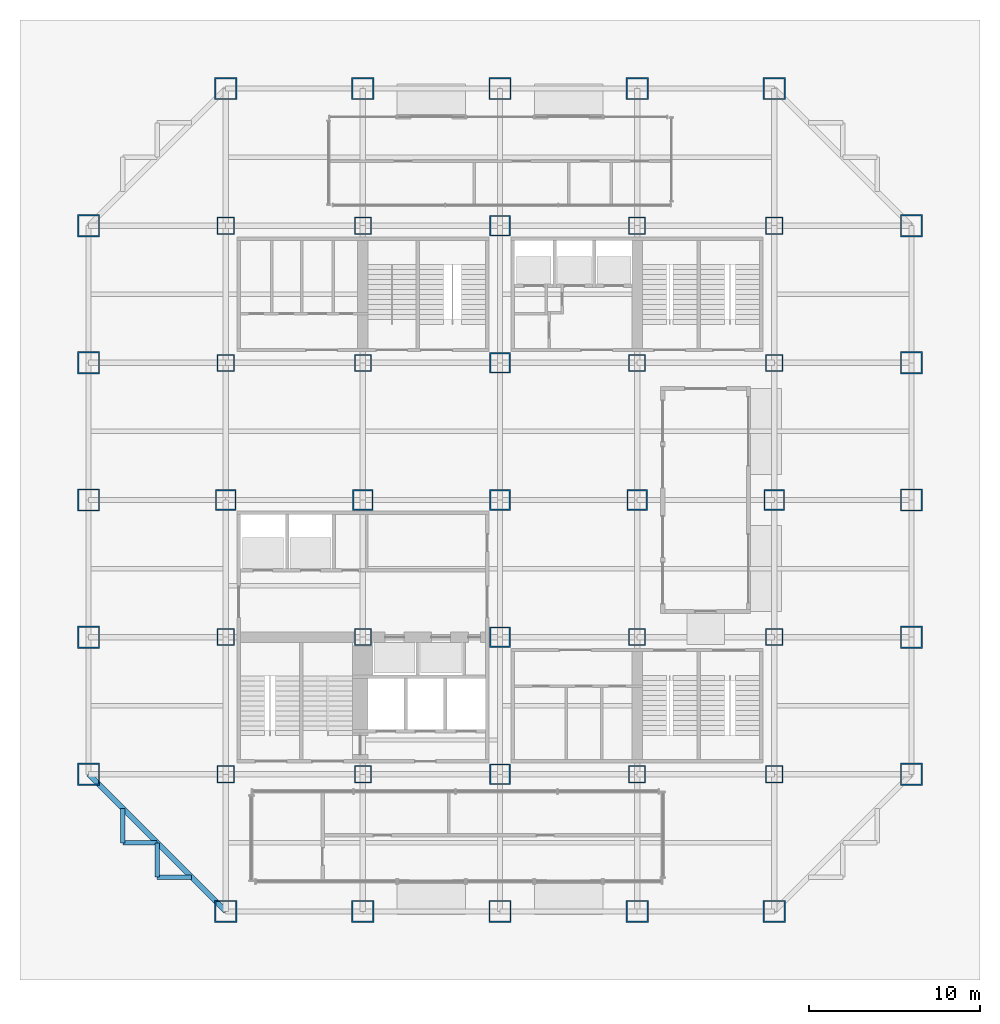
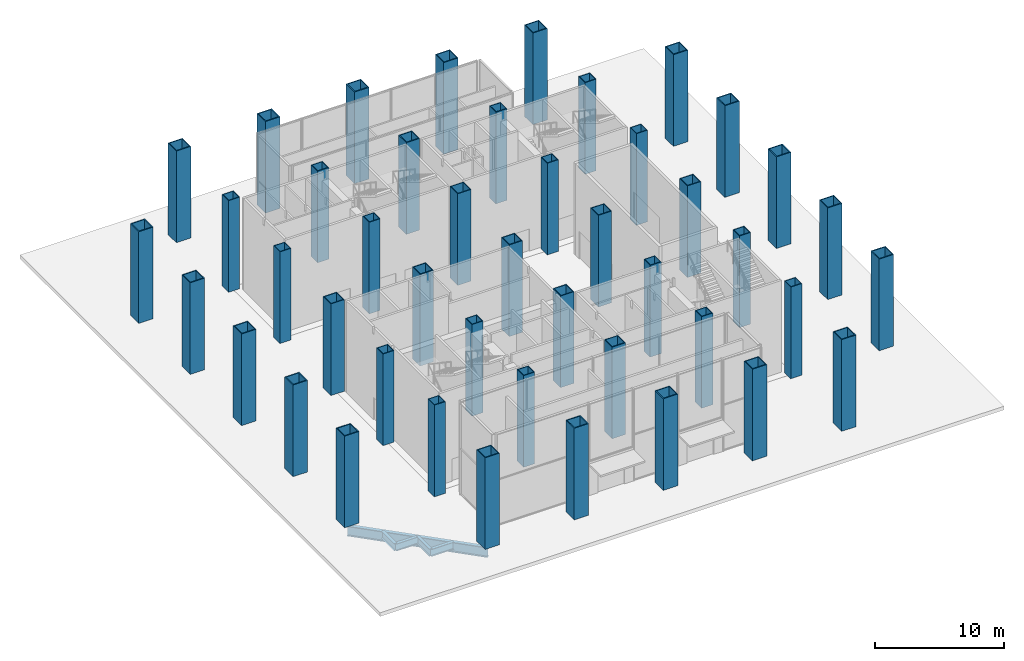
# One storey, part 1 of 14: 45 columns, 5 beams.
"""IFC4 building model written with IfcOpenShell, lengths in metres."""

from ifc_helpers import new_model, si_unit, direction, frame, origin, origin_2d, place, context, subcontext, project, spatial, hollow_rectangle, i_section, extrude, material, material_profile, profile_set, type_object, element, save


model = new_model("IFC4")

# Units and contexts
model_context = context("Model", 3, precision=1e-05, world=origin(), true_north=direction((0.0, 1.0)))
body_context = subcontext(model_context, "Body", "Model", "MODEL_VIEW")
ifc_project = project(units=[si_unit("LENGTHUNIT", "METRE"), si_unit("AREAUNIT", "SQUARE_METRE"), si_unit("VOLUMEUNIT", "CUBIC_METRE"), si_unit("PLANEANGLEUNIT", "RADIAN"), si_unit("MASSUNIT", "GRAM", prefix="KILO")], contexts=[model_context])

# Site, building, storey
site_placement = place(None, origin())
site = spatial("IfcSite", under=ifc_project, at=site_placement, CompositionType="ELEMENT")
building_placement = place(site_placement, origin())
building = spatial("IfcBuilding", under=site, at=building_placement, Name="Immortelle Media Tower", CompositionType="ELEMENT")
storey_placement = place(building_placement, origin())
storey = spatial("IfcBuildingStorey", under=building, at=storey_placement, Name="G", CompositionType="ELEMENT", Elevation=0.0)

# Columns
ifc_material_1 = material(Name="Steel ASTM A572 Gr 50", Category="steel")
ifc_material_profile_1 = material_profile(ifc_material_1, hollow_rectangle(XDim=1.0, YDim=1.0, WallThickness=0.06005859375, at=origin_2d()), Name="BOX 1000x1000x60 column")
ifc_profile_set_1 = profile_set([ifc_material_profile_1], Name="Steel ASTM A572 Gr 50")
column_type_1 = type_object("IfcColumnType", Name="BOX 1000x1000x60 column", PredefinedType="COLUMN", material=ifc_profile_set_1)
for number, where, z_axis, x_axis, name in (
    (1, (8.0, 8.0, 0.0), (0.0, 0.0, 1.0), (1.0, 0.0, 0.0), "Column 2/B"),
    (2, (8.0, 16.0, 0.0), (0.0, 0.0, 1.0), (1.0, 0.0, 0.0), "Column 2/C"),
    (3, (8.0, 32.0, 0.0), (0.0, 0.0, 1.0), (1.0, 0.0, 0.0), "Column 2/E"),
    (4, (8.0, 40.0, 0.0), (0.0, 0.0, 1.0), (1.0, 0.0, 0.0), "Column 2/F"),
    (5, (16.0, 8.0, 0.0), (0.0, 0.0, 1.0), (1.0, 0.0, 0.0), "Column 3/B"),
    (6, (16.0, 16.0, 0.0), (0.0, 0.0, 1.0), (1.0, 0.0, 0.0), "Column 3/C"),
    (7, (16.0, 32.0, 0.0), (0.0, 0.0, 1.0), (1.0, 0.0, 0.0), "Column 3/E"),
    (8, (16.0, 40.0, 0.0), (0.0, 0.0, 1.0), (1.0, 0.0, 0.0), "Column 3/F"),
    (9, (32.0, 8.0, 0.0), (0.0, 0.0, 1.0), (1.0, 0.0, 0.0), "Column 5/B"),
    (10, (32.0, 16.0, 0.0), (0.0, 0.0, 1.0), (1.0, 0.0, 0.0), "Column 5/C"),
    (11, (32.0, 32.0, 0.0), (0.0, 0.0, 1.0), (1.0, 0.0, 0.0), "Column 5/E"),
    (12, (32.0, 40.0, 0.0), (0.0, 0.0, 1.0), (1.0, 0.0, 0.0), "Column 5/F"),
    (13, (40.0, 8.0, 0.0), (0.0, 0.0, 1.0), (1.0, 0.0, 0.0), "Column 6/B"),
    (14, (40.0, 16.0, 0.0), (0.0, 0.0, 1.0), (1.0, 0.0, 0.0), "Column 6/C"),
    (15, (40.0, 32.0, 0.0), (0.0, 0.0, 1.0), (1.0, 0.0, 0.0), "Column 6/E"),
    (16, (40.0, 40.0, 0.0), (0.0, 0.0, 1.0), (1.0, 0.0, 0.0), "Column 6/F"),
):
    element("IfcColumn", number, at=place(storey_placement, frame(where, z_axis=z_axis, x_axis=x_axis)), inside=storey, type_object=column_type_1, Name=name, PredefinedType="COLUMN", context=body_context, shape_type="SweptSolid", body=[
        extrude(hollow_rectangle(XDim=1.0, YDim=1.0, WallThickness=0.06005859375, at=origin_2d()), origin(), (0.0, 0.0, 1.0), 8.699951171875),
    ])
ifc_material_profile_2 = material_profile(ifc_material_1, hollow_rectangle(XDim=1.199951171875, YDim=1.199951171875, WallThickness=0.070068359375, at=origin_2d()), Name="BOX 1200x1200x70 column")
ifc_profile_set_2 = profile_set([ifc_material_profile_2], Name="Steel ASTM A572 Gr 50")
column_type_2 = type_object("IfcColumnType", Name="BOX 1200x1200x70 column", PredefinedType="COLUMN", material=ifc_profile_set_2)
for number, where, z_axis, x_axis, name in (
    (17, (8.0, 24.0, 0.0), (0.0, 0.0, 1.0), (1.0, 0.0, 0.0), "Column 2/D"),
    (18, (16.0, 24.0, 0.0), (0.0, 0.0, 1.0), (1.0, 0.0, 0.0), "Column 3/D"),
    (19, (24.0, 8.0, 0.0), (0.0, 0.0, 1.0), (1.0, 0.0, 0.0), "Column 4/B"),
    (20, (24.0, 16.0, 0.0), (0.0, 0.0, 1.0), (1.0, 0.0, 0.0), "Column 4/C"),
    (21, (24.0, 24.0, 0.0), (0.0, 0.0, 1.0), (1.0, 0.0, 0.0), "Column 4/D"),
    (22, (24.0, 32.0, 0.0), (0.0, 0.0, 1.0), (1.0, 0.0, 0.0), "Column 4/E"),
    (23, (24.0, 40.0, 0.0), (0.0, 0.0, 1.0), (1.0, 0.0, 0.0), "Column 4/F"),
    (24, (32.0, 24.0, 0.0), (0.0, 0.0, 1.0), (1.0, 0.0, 0.0), "Column 5/D"),
    (25, (40.0, 24.0, 0.0), (0.0, 0.0, 1.0), (1.0, 0.0, 0.0), "Column 6/D"),
):
    element("IfcColumn", number, at=place(storey_placement, frame(where, z_axis=z_axis, x_axis=x_axis)), inside=storey, type_object=column_type_2, Name=name, PredefinedType="COLUMN", context=body_context, shape_type="SweptSolid", body=[
        extrude(hollow_rectangle(XDim=1.199951171875, YDim=1.199951171875, WallThickness=0.070068359375, at=origin_2d()), origin(), (0.0, 0.0, 1.0), 8.699951171875),
    ])
ifc_material_profile_3 = material_profile(ifc_material_1, hollow_rectangle(XDim=1.300048828125, YDim=1.300048828125, WallThickness=0.080078125, at=origin_2d()), Name="BOX 1300x1300x80 column")
ifc_profile_set_3 = profile_set([ifc_material_profile_3], Name="Steel ASTM A572 Gr 50")
column_type_3 = type_object("IfcColumnType", Name="BOX 1300x1300x80 column", PredefinedType="COLUMN", material=ifc_profile_set_3)
for number, where, z_axis, x_axis, name in (
    (26, (0.0, 8.0, 0.0), (0.0, 0.0, 1.0), (1.0, 0.0, 0.0), "Column 1/B"),
    (27, (0.0, 16.0, 0.0), (0.0, 0.0, 1.0), (1.0, 0.0, 0.0), "Column 1/C"),
    (28, (0.0, 24.0, 0.0), (0.0, 0.0, 1.0), (1.0, 0.0, 0.0), "Column 1/D"),
    (29, (0.0, 32.0, 0.0), (0.0, 0.0, 1.0), (1.0, 0.0, 0.0), "Column 1/E"),
    (30, (0.0, 40.0, 0.0), (0.0, 0.0, 1.0), (1.0, 0.0, 0.0), "Column 1/F"),
    (31, (8.0, 0.0, 0.0), (0.0, 0.0, 1.0), (1.0, 0.0, 0.0), "Column 2/A"),
    (32, (8.0, 48.0, 0.0), (0.0, 0.0, 1.0), (1.0, 0.0, 0.0), "Column 2/G"),
    (33, (16.0, 0.0, 0.0), (0.0, 0.0, 1.0), (1.0, 0.0, 0.0), "Column 3/A"),
    (34, (16.0, 48.0, 0.0), (0.0, 0.0, 1.0), (1.0, 0.0, 0.0), "Column 3/G"),
    (35, (24.0, 0.0, 0.0), (0.0, 0.0, 1.0), (1.0, 0.0, 0.0), "Column 4/A"),
    (36, (24.0, 48.0, 0.0), (0.0, 0.0, 1.0), (1.0, 0.0, 0.0), "Column 4/G"),
    (37, (32.0, 0.0, 0.0), (0.0, 0.0, 1.0), (1.0, 0.0, 0.0), "Column 5/A"),
    (38, (32.0, 48.0, 0.0), (0.0, 0.0, 1.0), (1.0, 0.0, 0.0), "Column 5/G"),
    (39, (40.0, 0.0, 0.0), (0.0, 0.0, 1.0), (1.0, 0.0, 0.0), "Column 6/A"),
    (40, (40.0, 48.0, 0.0), (0.0, 0.0, 1.0), (1.0, 0.0, 0.0), "Column 6/G"),
    (41, (48.0, 8.0, 0.0), (0.0, 0.0, 1.0), (1.0, 0.0, 0.0), "Column 7/B"),
    (42, (48.0, 16.0, 0.0), (0.0, 0.0, 1.0), (1.0, 0.0, 0.0), "Column 7/C"),
    (43, (48.0, 24.0, 0.0), (0.0, 0.0, 1.0), (1.0, 0.0, 0.0), "Column 7/D"),
    (44, (48.0, 32.0, 0.0), (0.0, 0.0, 1.0), (1.0, 0.0, 0.0), "Column 7/E"),
    (45, (48.0, 40.0, 0.0), (0.0, 0.0, 1.0), (1.0, 0.0, 0.0), "Column 7/F"),
):
    element("IfcColumn", number, at=place(storey_placement, frame(where, z_axis=z_axis, x_axis=x_axis)), inside=storey, type_object=column_type_3, Name=name, PredefinedType="COLUMN", context=body_context, shape_type="SweptSolid", body=[
        extrude(hollow_rectangle(XDim=1.300048828125, YDim=1.300048828125, WallThickness=0.080078125, at=origin_2d()), origin(), (0.0, 0.0, 1.0), 8.699951171875),
    ])

# Beams
ifc_material_2 = material(Name="Steel ASTM A992 Gr 50", Category="steel")
ifc_material_profile_4 = material_profile(ifc_material_2, i_section(OverallWidth=0.257080078125, OverallDepth=0.693115234375, WebThickness=0.013916015625, FlangeThickness=0.02392578125, at=origin_2d()), Name="W27x114")
ifc_profile_set_4 = profile_set([ifc_material_profile_4], Name="Steel ASTM A992 Gr 50")
beam_type_1 = type_object("IfcBeamType", Name="W27x114 serration edge beam", PredefinedType="SPANDREL", material=ifc_profile_set_4)
for number, where, z_axis, x_axis, name in (
    (46, (6.0, 2.0, -0.696533203125), (-1.0, 0.0, 0.0), (0.0, -1.0, 0.0), "Corner edge beam 1 at 1/A"),
    (47, (4.0, 2.0, -0.696533203125), (0.0, 1.0, 0.0), (-1.0, 0.0, 0.0), "Corner edge beam 2 at 1/A"),
    (48, (4.0, 4.0, -0.696533203125), (-1.0, 0.0, 0.0), (0.0, -1.0, 0.0), "Corner edge beam 3 at 1/A"),
    (49, (2.0, 4.0, -0.696533203125), (0.0, 1.0, 0.0), (-1.0, 0.0, 0.0), "Corner edge beam 4 at 1/A"),
):
    element("IfcBeam", number, at=place(storey_placement, frame(where, z_axis=z_axis, x_axis=x_axis)), inside=storey, type_object=beam_type_1, Name=name, PredefinedType="SPANDREL", context=body_context, shape_type="SweptSolid", body=[
        extrude(i_section(OverallWidth=0.257080078125, OverallDepth=0.693115234375, WebThickness=0.013916015625, FlangeThickness=0.02392578125, at=origin_2d()), origin(), (0.0, 0.0, 1.0), 2.0),
    ])
ifc_material_profile_5 = material_profile(ifc_material_2, i_section(OverallWidth=0.31005859375, OverallDepth=0.949951171875, WebThickness=0.02392578125, FlangeThickness=0.0439453125, at=origin_2d()), Name="W36x256")
ifc_profile_set_5 = profile_set([ifc_material_profile_5], Name="Steel ASTM A992 Gr 50")
beam_type_2 = type_object("IfcBeamType", Name="W36x256 corner girder", PredefinedType="SPANDREL", material=ifc_profile_set_5)
beam_placement = place(storey_placement, frame((8.0, 0.0, -0.824951171875), z_axis=(-0.707106781187, 0.707106781187, 0.0), x_axis=(-0.707106781187, -0.707106781187, 0.0)))
element("IfcBeam", 50, at=beam_placement, inside=storey, type_object=beam_type_2, Name="Corner girder at 1/A", PredefinedType="SPANDREL", context=body_context, shape_type="SweptSolid", body=[
    extrude(i_section(OverallWidth=0.31005859375, OverallDepth=0.949951171875, WebThickness=0.02392578125, FlangeThickness=0.0439453125, at=origin_2d()), origin(), (0.0, 0.0, 1.0), 11.313720703125),
])

save(model, "model.ifc")
